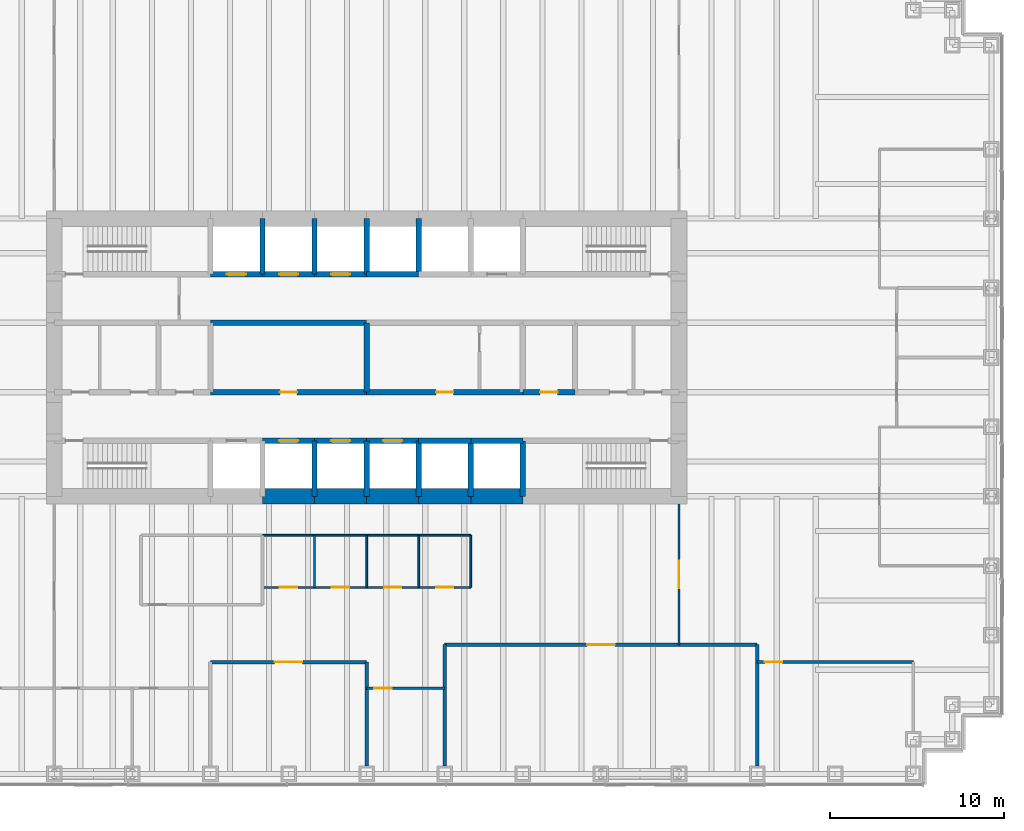
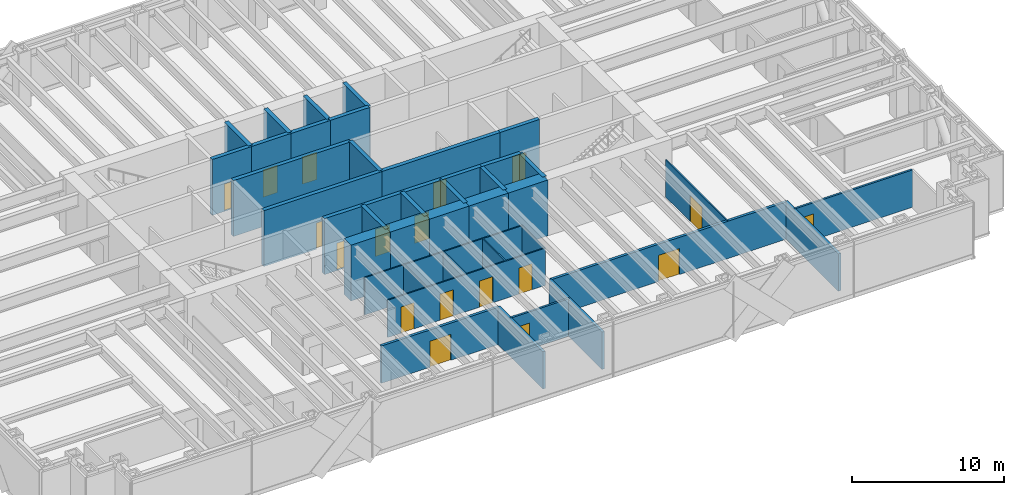
# One storey, part 10 of 13: 42 walls, 18 doors, 18 openings.
"""IFC4 building model written with IfcOpenShell, lengths in metres."""

from ifc_helpers import new_model, si_unit, direction, frame, frame_2d, origin, place, context, subcontext, project, spatial, rectangle, extrude, material, layer, layer_set, type_object, element, fill, save


model = new_model("IFC4")

# Units and contexts
model_context = context("Model", 3, precision=1e-05, world=origin(), true_north=direction((0.0, 1.0)))
body_context = subcontext(model_context, "Body", "Model", "MODEL_VIEW")
ifc_project = project(units=[si_unit("LENGTHUNIT", "METRE"), si_unit("AREAUNIT", "SQUARE_METRE"), si_unit("VOLUMEUNIT", "CUBIC_METRE"), si_unit("PLANEANGLEUNIT", "RADIAN"), si_unit("MASSUNIT", "GRAM", prefix="KILO")], contexts=[model_context])

# Site, building, storey
site_placement = place(None, origin())
site = spatial("IfcSite", under=ifc_project, at=site_placement, CompositionType="ELEMENT")
building_placement = place(site_placement, origin())
building = spatial("IfcBuilding", under=site, at=building_placement, Name="Rheinbord Bourse Tower", CompositionType="ELEMENT")
storey_placement = place(building_placement, frame((0.0, 0.0, 45.5)))
storey = spatial("IfcBuildingStorey", under=building, at=storey_placement, Name="L09", CompositionType="ELEMENT", Elevation=45.5)

# Wall, opening, door
ifc_material_1 = material(Name="Acoustic gypsum board partition", Category="gypsum board")
ifc_layer_1 = layer(ifc_material_1, 0.199951171875)
ifc_layer_set_1 = layer_set([ifc_layer_1], Name="ACOUSTIC PARTITION 200")
wall_type_1 = type_object("IfcWallType", Name="ACOUSTIC PARTITION 200", PredefinedType="PARTITIONING", material=ifc_layer_set_1)
wall_1_placement = place(storey_placement, frame((27.0, 6.449951171875, 0.0), z_axis=(0.0, 0.0, 1.0), x_axis=(1.0, 0.0, 0.0)))
wall_1 = element("IfcWall", 1, at=wall_1_placement, inside=storey, type_object=wall_type_1, Name="Partition L09-04", PredefinedType="PARTITIONING", context=body_context, shape_type="SweptSolid", body=[
    extrude(rectangle(XDim=9.0, YDim=0.199951171875, at=frame_2d((4.5, 0.0))), origin(), (0.0, 0.0, 1.0), 3.0),
])
opening_1_placement = place(wall_1_placement, frame((3.699951171875, 0.0, 0.0)))
opening_1 = element("IfcOpeningElement", 2, at=opening_1_placement, cuts=wall_1, Name="Opening 09D06", PredefinedType="OPENING", context=body_context, shape_type="SweptSolid", body=[
    extrude(rectangle(XDim=1.60009765625, YDim=2.10009765625, at=frame_2d((0.800048828125, 1.050048828125))), frame((0.0, 0.10986328125, 0.0), z_axis=(0.0, -1.0, 0.0), x_axis=(1.0, 0.0, 0.0)), (0.0, 0.0, 1.0), 0.219970703125),
])
ifc_material_2 = material(Name="Timber door", Category="wood")
door_type_1 = type_object("IfcDoorType", Name="DOUBLE ROOM DOOR 1600", OperationType="DOUBLE_DOOR_DOUBLE_SWING", PredefinedType="DOOR", material=ifc_material_2)
door_1_placement = place(opening_1_placement, origin())
door_1 = element("IfcDoor", 3, at=door_1_placement, inside=storey, type_object=door_type_1, Name="Risk room door L09", OperationType="SINGLE_SWING_LEFT", OverallHeight=2.10009765625, OverallWidth=1.60009765625, PredefinedType="DOOR", context=body_context, shape_type="SweptSolid", body=[
    extrude(rectangle(XDim=1.60009765625, YDim=2.10009765625, at=frame_2d((0.800048828125, 1.050048828125))), frame((0.0, 0.02490234375, 0.0), z_axis=(0.0, -1.0, 0.0), x_axis=(1.0, 0.0, 0.0)), (0.0, 0.0, 1.0), 0.050048828125),
])
fill(opening_1, door_1)

wall_2_placement = place(storey_placement, frame((40.5, 7.449951171875, 0.0), z_axis=(0.0, 0.0, 1.0), x_axis=(1.0, 0.0, 0.0)))
wall_2 = element("IfcWall", 4, at=wall_2_placement, inside=storey, type_object=wall_type_1, Name="Partition L09-06", PredefinedType="PARTITIONING", context=body_context, shape_type="SweptSolid", body=[
    extrude(rectangle(XDim=18.0, YDim=0.199951171875, at=frame_2d((9.0, 0.0))), origin(), (0.0, 0.0, 1.0), 3.0),
])
opening_2_placement = place(wall_2_placement, frame((8.199951171875, 0.0, 0.0)))
opening_2 = element("IfcOpeningElement", 5, at=opening_2_placement, cuts=wall_2, Name="Opening 09D08", PredefinedType="OPENING", context=body_context, shape_type="SweptSolid", body=[
    extrude(rectangle(XDim=1.60009765625, YDim=2.10009765625, at=frame_2d((0.800048828125, 1.050048828125))), frame((0.0, 0.10986328125, 0.0), z_axis=(0.0, -1.0, 0.0), x_axis=(1.0, 0.0, 0.0)), (0.0, 0.0, 1.0), 0.219970703125),
])
door_2_placement = place(opening_2_placement, origin())
door_2 = element("IfcDoor", 6, at=door_2_placement, inside=storey, type_object=door_type_1, Name="Sales trading room door L09", OperationType="SINGLE_SWING_LEFT", OverallHeight=2.10009765625, OverallWidth=1.60009765625, PredefinedType="DOOR", context=body_context, shape_type="SweptSolid", body=[
    extrude(rectangle(XDim=1.60009765625, YDim=2.10009765625, at=frame_2d((0.800048828125, 1.050048828125))), frame((0.0, 0.02490234375, 0.0), z_axis=(0.0, -1.0, 0.0), x_axis=(1.0, 0.0, 0.0)), (0.0, 0.0, 1.0), 0.050048828125),
])
fill(opening_2, door_2)

# Walls
wall_3_placement = place(storey_placement, frame((36.0, 0.449951171875, 0.0), z_axis=(0.0, 0.0, 1.0), x_axis=(0.0, 1.0, 0.0)))
element("IfcWall", 7, at=wall_3_placement, inside=storey, type_object=wall_type_1, Name="Partition L09-31", PredefinedType="PARTITIONING", context=body_context, shape_type="SweptSolid", body=[
    extrude(rectangle(XDim=6.0, YDim=0.199951171875, at=frame_2d((3.0, 0.0))), origin(), (0.0, 0.0, 1.0), 3.0),
])
for number, where, z_axis, x_axis, name in (
    (8, (40.5, 0.449951171875, 0.0), (0.0, 0.0, 1.0), (0.0, 1.0, 0.0), "Partition L09-34"),
    (9, (58.5, 0.449951171875, 0.0), (0.0, 0.0, 1.0), (0.0, 1.0, 0.0), "Partition L09-38"),
):
    element("IfcWall", number, at=place(storey_placement, frame(where, z_axis=z_axis, x_axis=x_axis)), inside=storey, type_object=wall_type_1, Name=name, PredefinedType="PARTITIONING", context=body_context, shape_type="SweptSolid", body=[
        extrude(rectangle(XDim=7.0, YDim=0.199951171875, at=frame_2d((3.5, 0.0))), origin(), (0.0, 0.0, 1.0), 3.0),
    ])

# Wall, opening, door
ifc_material_3 = material(Name="Concrete C50/60", Category="concrete")
ifc_layer_2 = layer(ifc_material_3, 0.300048828125)
ifc_layer_set_2 = layer_set([ifc_layer_2], Name="CORE INNER WALL 300")
wall_type_2 = type_object("IfcWallType", Name="CORE INNER WALL 300", PredefinedType="SOLIDWALL", material=ifc_layer_set_2)
wall_4_placement = place(storey_placement, frame((30.0, 19.199951171875, 0.0), z_axis=(0.0, 0.0, 1.0), x_axis=(1.0, 0.0, 0.0)))
wall_4 = element("IfcWall", 10, at=wall_4_placement, inside=storey, type_object=wall_type_2, Name="Core wall A3 L09", PredefinedType="SOLIDWALL", context=body_context, shape_type="SweptSolid", body=[
    extrude(rectangle(XDim=3.0, YDim=0.300048828125, at=frame_2d((1.5, 0.0))), origin(), (0.0, 0.0, 1.0), 4.5),
])
opening_3_placement = place(wall_4_placement, frame((0.949951171875, 0.0, 0.0)))
opening_3 = element("IfcOpeningElement", 11, at=opening_3_placement, cuts=wall_4, Name="Opening PA1", PredefinedType="OPENING", context=body_context, shape_type="SweptSolid", body=[
    extrude(rectangle(XDim=1.10009765625, YDim=2.199951171875, at=frame_2d((0.550048828125, 1.10009765625))), frame((0.0, 0.159912109375, 0.0), z_axis=(0.0, -1.0, 0.0), x_axis=(1.0, 0.0, 0.0)), (0.0, 0.0, 1.0), 0.320068359375),
])
ifc_material_4 = material(Name="Steel landing door", Category="steel")
door_type_2 = type_object("IfcDoorType", Name="LIFT LANDING DOOR 1100", OperationType="DOUBLE_DOOR_SLIDING", PredefinedType="USERDEFINED", material=ifc_material_4)
door_3_placement = place(opening_3_placement, origin())
door_3 = element("IfcDoor", 12, at=door_3_placement, inside=storey, type_object=door_type_2, Name="Lift landing door PA1 L09", ObjectType="LIFT LANDING DOOR", OperationType="DOUBLE_DOOR_SLIDING", OverallHeight=2.199951171875, OverallWidth=1.10009765625, PredefinedType="USERDEFINED", context=body_context, shape_type="SweptSolid", body=[
    extrude(rectangle(XDim=1.10009765625, YDim=2.199951171875, at=frame_2d((0.550048828125, 1.10009765625))), frame((0.0, 0.02490234375, 0.0), z_axis=(0.0, -1.0, 0.0), x_axis=(1.0, 0.0, 0.0)), (0.0, 0.0, 1.0), 0.050048828125),
])
fill(opening_3, door_3)

wall_5_placement = place(storey_placement, frame((33.0, 19.199951171875, 0.0), z_axis=(0.0, 0.0, 1.0), x_axis=(1.0, 0.0, 0.0)))
wall_5 = element("IfcWall", 13, at=wall_5_placement, inside=storey, type_object=wall_type_2, Name="Core wall A4 L09", PredefinedType="SOLIDWALL", context=body_context, shape_type="SweptSolid", body=[
    extrude(rectangle(XDim=3.0, YDim=0.300048828125, at=frame_2d((1.5, 0.0))), origin(), (0.0, 0.0, 1.0), 4.5),
])
opening_4_placement = place(wall_5_placement, frame((0.949951171875, 0.0, 0.0)))
opening_4 = element("IfcOpeningElement", 14, at=opening_4_placement, cuts=wall_5, Name="Opening PA2", PredefinedType="OPENING", context=body_context, shape_type="SweptSolid", body=[
    extrude(rectangle(XDim=1.10009765625, YDim=2.199951171875, at=frame_2d((0.550048828125, 1.10009765625))), frame((0.0, 0.159912109375, 0.0), z_axis=(0.0, -1.0, 0.0), x_axis=(1.0, 0.0, 0.0)), (0.0, 0.0, 1.0), 0.320068359375),
])
door_4_placement = place(opening_4_placement, origin())
door_4 = element("IfcDoor", 15, at=door_4_placement, inside=storey, type_object=door_type_2, Name="Lift landing door PA2 L09", ObjectType="LIFT LANDING DOOR", OperationType="DOUBLE_DOOR_SLIDING", OverallHeight=2.199951171875, OverallWidth=1.10009765625, PredefinedType="USERDEFINED", context=body_context, shape_type="SweptSolid", body=[
    extrude(rectangle(XDim=1.10009765625, YDim=2.199951171875, at=frame_2d((0.550048828125, 1.10009765625))), frame((0.0, 0.02490234375, 0.0), z_axis=(0.0, -1.0, 0.0), x_axis=(1.0, 0.0, 0.0)), (0.0, 0.0, 1.0), 0.050048828125),
])
fill(opening_4, door_4)

wall_6_placement = place(storey_placement, frame((36.0, 19.199951171875, 0.0), z_axis=(0.0, 0.0, 1.0), x_axis=(1.0, 0.0, 0.0)))
wall_6 = element("IfcWall", 16, at=wall_6_placement, inside=storey, type_object=wall_type_2, Name="Core wall A5 L09", PredefinedType="SOLIDWALL", context=body_context, shape_type="SweptSolid", body=[
    extrude(rectangle(XDim=3.0, YDim=0.300048828125, at=frame_2d((1.5, 0.0))), origin(), (0.0, 0.0, 1.0), 4.5),
])
opening_5_placement = place(wall_6_placement, frame((0.949951171875, 0.0, 0.0)))
opening_5 = element("IfcOpeningElement", 17, at=opening_5_placement, cuts=wall_6, Name="Opening PA3", PredefinedType="OPENING", context=body_context, shape_type="SweptSolid", body=[
    extrude(rectangle(XDim=1.10009765625, YDim=2.199951171875, at=frame_2d((0.550048828125, 1.10009765625))), frame((0.0, 0.159912109375, 0.0), z_axis=(0.0, -1.0, 0.0), x_axis=(1.0, 0.0, 0.0)), (0.0, 0.0, 1.0), 0.320068359375),
])
door_5_placement = place(opening_5_placement, origin())
door_5 = element("IfcDoor", 18, at=door_5_placement, inside=storey, type_object=door_type_2, Name="Lift landing door PA3 L09", ObjectType="LIFT LANDING DOOR", OperationType="DOUBLE_DOOR_SLIDING", OverallHeight=2.199951171875, OverallWidth=1.10009765625, PredefinedType="USERDEFINED", context=body_context, shape_type="SweptSolid", body=[
    extrude(rectangle(XDim=1.10009765625, YDim=2.199951171875, at=frame_2d((0.550048828125, 1.10009765625))), frame((0.0, 0.02490234375, 0.0), z_axis=(0.0, -1.0, 0.0), x_axis=(1.0, 0.0, 0.0)), (0.0, 0.0, 1.0), 0.050048828125),
])
fill(opening_5, door_5)

# Walls
for number, where, z_axis, x_axis, name in (
    (19, (39.0, 19.199951171875, 0.0), (0.0, 0.0, 1.0), (1.0, 0.0, 0.0), "Core wall A6 L09"),
    (20, (42.0, 19.199951171875, 0.0), (0.0, 0.0, 1.0), (1.0, 0.0, 0.0), "Core wall A7 L09"),
):
    element("IfcWall", number, at=place(storey_placement, frame(where, z_axis=z_axis, x_axis=x_axis)), inside=storey, type_object=wall_type_2, Name=name, PredefinedType="SOLIDWALL", context=body_context, shape_type="SweptSolid", body=[
        extrude(rectangle(XDim=3.0, YDim=0.300048828125, at=frame_2d((1.5, 0.0))), origin(), (0.0, 0.0, 1.0), 4.5),
    ])

# Wall, opening, door
wall_7_placement = place(storey_placement, frame((27.0, 28.800048828125, 0.0), z_axis=(0.0, 0.0, 1.0), x_axis=(1.0, 0.0, 0.0)))
wall_7 = element("IfcWall", 21, at=wall_7_placement, inside=storey, type_object=wall_type_2, Name="Core wall B2 L09", PredefinedType="SOLIDWALL", context=body_context, shape_type="SweptSolid", body=[
    extrude(rectangle(XDim=3.0, YDim=0.300048828125, at=frame_2d((1.5, 0.0))), origin(), (0.0, 0.0, 1.0), 4.5),
])
opening_6_placement = place(wall_7_placement, frame((0.949951171875, 0.0, 0.0)))
opening_6 = element("IfcOpeningElement", 22, at=opening_6_placement, cuts=wall_7, Name="Opening GL1", PredefinedType="OPENING", context=body_context, shape_type="SweptSolid", body=[
    extrude(rectangle(XDim=1.10009765625, YDim=2.199951171875, at=frame_2d((0.550048828125, 1.10009765625))), frame((0.0, 0.159912109375, 0.0), z_axis=(0.0, -1.0, 0.0), x_axis=(1.0, 0.0, 0.0)), (0.0, 0.0, 1.0), 0.320068359375),
])
door_6_placement = place(opening_6_placement, origin())
door_6 = element("IfcDoor", 23, at=door_6_placement, inside=storey, type_object=door_type_2, Name="Lift landing door GL1 L09", ObjectType="LIFT LANDING DOOR", OperationType="DOUBLE_DOOR_SLIDING", OverallHeight=2.199951171875, OverallWidth=1.10009765625, PredefinedType="USERDEFINED", context=body_context, shape_type="SweptSolid", body=[
    extrude(rectangle(XDim=1.10009765625, YDim=2.199951171875, at=frame_2d((0.550048828125, 1.10009765625))), frame((0.0, 0.02490234375, 0.0), z_axis=(0.0, -1.0, 0.0), x_axis=(1.0, 0.0, 0.0)), (0.0, 0.0, 1.0), 0.050048828125),
])
fill(opening_6, door_6)

wall_8_placement = place(storey_placement, frame((30.0, 28.800048828125, 0.0), z_axis=(0.0, 0.0, 1.0), x_axis=(1.0, 0.0, 0.0)))
wall_8 = element("IfcWall", 24, at=wall_8_placement, inside=storey, type_object=wall_type_2, Name="Core wall B3 L09", PredefinedType="SOLIDWALL", context=body_context, shape_type="SweptSolid", body=[
    extrude(rectangle(XDim=3.0, YDim=0.300048828125, at=frame_2d((1.5, 0.0))), origin(), (0.0, 0.0, 1.0), 4.5),
])
opening_7_placement = place(wall_8_placement, frame((0.949951171875, 0.0, 0.0)))
opening_7 = element("IfcOpeningElement", 25, at=opening_7_placement, cuts=wall_8, Name="Opening PA4", PredefinedType="OPENING", context=body_context, shape_type="SweptSolid", body=[
    extrude(rectangle(XDim=1.10009765625, YDim=2.199951171875, at=frame_2d((0.550048828125, 1.10009765625))), frame((0.0, 0.159912109375, 0.0), z_axis=(0.0, -1.0, 0.0), x_axis=(1.0, 0.0, 0.0)), (0.0, 0.0, 1.0), 0.320068359375),
])
door_7_placement = place(opening_7_placement, origin())
door_7 = element("IfcDoor", 26, at=door_7_placement, inside=storey, type_object=door_type_2, Name="Lift landing door PA4 L09", ObjectType="LIFT LANDING DOOR", OperationType="DOUBLE_DOOR_SLIDING", OverallHeight=2.199951171875, OverallWidth=1.10009765625, PredefinedType="USERDEFINED", context=body_context, shape_type="SweptSolid", body=[
    extrude(rectangle(XDim=1.10009765625, YDim=2.199951171875, at=frame_2d((0.550048828125, 1.10009765625))), frame((0.0, 0.02490234375, 0.0), z_axis=(0.0, -1.0, 0.0), x_axis=(1.0, 0.0, 0.0)), (0.0, 0.0, 1.0), 0.050048828125),
])
fill(opening_7, door_7)

wall_9_placement = place(storey_placement, frame((33.0, 28.800048828125, 0.0), z_axis=(0.0, 0.0, 1.0), x_axis=(1.0, 0.0, 0.0)))
wall_9 = element("IfcWall", 27, at=wall_9_placement, inside=storey, type_object=wall_type_2, Name="Core wall B4 L09", PredefinedType="SOLIDWALL", context=body_context, shape_type="SweptSolid", body=[
    extrude(rectangle(XDim=3.0, YDim=0.300048828125, at=frame_2d((1.5, 0.0))), origin(), (0.0, 0.0, 1.0), 4.5),
])
opening_8_placement = place(wall_9_placement, frame((0.949951171875, 0.0, 0.0)))
opening_8 = element("IfcOpeningElement", 28, at=opening_8_placement, cuts=wall_9, Name="Opening PA5", PredefinedType="OPENING", context=body_context, shape_type="SweptSolid", body=[
    extrude(rectangle(XDim=1.10009765625, YDim=2.199951171875, at=frame_2d((0.550048828125, 1.10009765625))), frame((0.0, 0.159912109375, 0.0), z_axis=(0.0, -1.0, 0.0), x_axis=(1.0, 0.0, 0.0)), (0.0, 0.0, 1.0), 0.320068359375),
])
door_8_placement = place(opening_8_placement, origin())
door_8 = element("IfcDoor", 29, at=door_8_placement, inside=storey, type_object=door_type_2, Name="Lift landing door PA5 L09", ObjectType="LIFT LANDING DOOR", OperationType="DOUBLE_DOOR_SLIDING", OverallHeight=2.199951171875, OverallWidth=1.10009765625, PredefinedType="USERDEFINED", context=body_context, shape_type="SweptSolid", body=[
    extrude(rectangle(XDim=1.10009765625, YDim=2.199951171875, at=frame_2d((0.550048828125, 1.10009765625))), frame((0.0, 0.02490234375, 0.0), z_axis=(0.0, -1.0, 0.0), x_axis=(1.0, 0.0, 0.0)), (0.0, 0.0, 1.0), 0.050048828125),
])
fill(opening_8, door_8)

# Wall
wall_10_placement = place(storey_placement, frame((36.0, 28.800048828125, 0.0), z_axis=(0.0, 0.0, 1.0), x_axis=(1.0, 0.0, 0.0)))
element("IfcWall", 30, at=wall_10_placement, inside=storey, type_object=wall_type_2, Name="Core wall B5 L09", PredefinedType="SOLIDWALL", context=body_context, shape_type="SweptSolid", body=[
    extrude(rectangle(XDim=3.0, YDim=0.300048828125, at=frame_2d((1.5, 0.0))), origin(), (0.0, 0.0, 1.0), 4.5),
])

# Wall, opening, door
wall_11_placement = place(storey_placement, frame((27.0, 22.0, 0.0), z_axis=(0.0, 0.0, 1.0), x_axis=(1.0, 0.0, 0.0)))
wall_11 = element("IfcWall", 31, at=wall_11_placement, inside=storey, type_object=wall_type_2, Name="Core wall C3 L09", PredefinedType="SOLIDWALL", context=body_context, shape_type="SweptSolid", body=[
    extrude(rectangle(XDim=9.0, YDim=0.300048828125, at=frame_2d((4.5, 0.0))), origin(), (0.0, 0.0, 1.0), 4.5),
])
opening_9_placement = place(wall_11_placement, frame((4.0, 0.0, 0.0)))
opening_9 = element("IfcOpeningElement", 32, at=opening_9_placement, cuts=wall_11, Name="Opening 09R3", PredefinedType="OPENING", context=body_context, shape_type="SweptSolid", body=[
    extrude(rectangle(XDim=1.0, YDim=2.10009765625, at=frame_2d((0.5, 1.050048828125))), frame((0.0, 0.159912109375, 0.0), z_axis=(0.0, -1.0, 0.0), x_axis=(1.0, 0.0, 0.0)), (0.0, 0.0, 1.0), 0.320068359375),
])
ifc_material_5 = material(Name="Steel door", Category="steel")
door_type_3 = type_object("IfcDoorType", Name="DOOR 1000 EI30", OperationType="SINGLE_SWING_LEFT", PredefinedType="DOOR", material=ifc_material_5)
door_9_placement = place(opening_9_placement, origin())
door_9 = element("IfcDoor", 33, at=door_9_placement, inside=storey, type_object=door_type_3, Name="Riser door L09", OperationType="SINGLE_SWING_LEFT", OverallHeight=2.10009765625, OverallWidth=1.0, PredefinedType="DOOR", context=body_context, shape_type="SweptSolid", body=[
    extrude(rectangle(XDim=1.0, YDim=2.10009765625, at=frame_2d((0.5, 1.050048828125))), frame((0.0, 0.02490234375, 0.0), z_axis=(0.0, -1.0, 0.0), x_axis=(1.0, 0.0, 0.0)), (0.0, 0.0, 1.0), 0.050048828125),
])
fill(opening_9, door_9)

wall_12_placement = place(storey_placement, frame((36.0, 22.0, 0.0), z_axis=(0.0, 0.0, 1.0), x_axis=(1.0, 0.0, 0.0)))
wall_12 = element("IfcWall", 34, at=wall_12_placement, inside=storey, type_object=wall_type_2, Name="Core wall C4 L09", PredefinedType="SOLIDWALL", context=body_context, shape_type="SweptSolid", body=[
    extrude(rectangle(XDim=9.0, YDim=0.300048828125, at=frame_2d((4.5, 0.0))), origin(), (0.0, 0.0, 1.0), 4.5),
])
opening_10_placement = place(wall_12_placement, frame((4.0, 0.0, 0.0)))
opening_10 = element("IfcOpeningElement", 35, at=opening_10_placement, cuts=wall_12, Name="Opening 09R4", PredefinedType="OPENING", context=body_context, shape_type="SweptSolid", body=[
    extrude(rectangle(XDim=1.0, YDim=2.10009765625, at=frame_2d((0.5, 1.050048828125))), frame((0.0, 0.159912109375, 0.0), z_axis=(0.0, -1.0, 0.0), x_axis=(1.0, 0.0, 0.0)), (0.0, 0.0, 1.0), 0.320068359375),
])
door_10_placement = place(opening_10_placement, origin())
door_10 = element("IfcDoor", 36, at=door_10_placement, inside=storey, type_object=door_type_3, Name="Print room door L09", OperationType="SINGLE_SWING_LEFT", OverallHeight=2.10009765625, OverallWidth=1.0, PredefinedType="DOOR", context=body_context, shape_type="SweptSolid", body=[
    extrude(rectangle(XDim=1.0, YDim=2.10009765625, at=frame_2d((0.5, 1.050048828125))), frame((0.0, 0.02490234375, 0.0), z_axis=(0.0, -1.0, 0.0), x_axis=(1.0, 0.0, 0.0)), (0.0, 0.0, 1.0), 0.050048828125),
])
fill(opening_10, door_10)

wall_13_placement = place(storey_placement, frame((45.0, 22.0, 0.0), z_axis=(0.0, 0.0, 1.0), x_axis=(1.0, 0.0, 0.0)))
wall_13 = element("IfcWall", 37, at=wall_13_placement, inside=storey, type_object=wall_type_2, Name="Core wall C5 L09", PredefinedType="SOLIDWALL", context=body_context, shape_type="SweptSolid", body=[
    extrude(rectangle(XDim=3.0, YDim=0.300048828125, at=frame_2d((1.5, 0.0))), origin(), (0.0, 0.0, 1.0), 4.5),
])
opening_11_placement = place(wall_13_placement, frame((1.0, 0.0, 0.0)))
opening_11 = element("IfcOpeningElement", 38, at=opening_11_placement, cuts=wall_13, Name="Opening 09R5", PredefinedType="OPENING", context=body_context, shape_type="SweptSolid", body=[
    extrude(rectangle(XDim=1.0, YDim=2.10009765625, at=frame_2d((0.5, 1.050048828125))), frame((0.0, 0.159912109375, 0.0), z_axis=(0.0, -1.0, 0.0), x_axis=(1.0, 0.0, 0.0)), (0.0, 0.0, 1.0), 0.320068359375),
])
ifc_material_6 = material(Name="Timber door", Category="wood")
door_type_4 = type_object("IfcDoorType", Name="DOOR 1000 WC", OperationType="SINGLE_SWING_LEFT", PredefinedType="DOOR", material=ifc_material_6)
door_11_placement = place(opening_11_placement, origin())
door_11 = element("IfcDoor", 39, at=door_11_placement, inside=storey, type_object=door_type_4, Name="Accessible WC door L09", OperationType="SINGLE_SWING_LEFT", OverallHeight=2.10009765625, OverallWidth=1.0, PredefinedType="DOOR", context=body_context, shape_type="SweptSolid", body=[
    extrude(rectangle(XDim=1.0, YDim=2.10009765625, at=frame_2d((0.5, 1.050048828125))), frame((0.0, 0.02490234375, 0.0), z_axis=(0.0, -1.0, 0.0), x_axis=(1.0, 0.0, 0.0)), (0.0, 0.0, 1.0), 0.050048828125),
])
fill(opening_11, door_11)

# Walls
wall_14_placement = place(storey_placement, frame((27.0, 26.0, 0.0), z_axis=(0.0, 0.0, 1.0), x_axis=(1.0, 0.0, 0.0)))
element("IfcWall", 40, at=wall_14_placement, inside=storey, type_object=wall_type_2, Name="Core wall D3 L09", PredefinedType="SOLIDWALL", context=body_context, shape_type="SweptSolid", body=[
    extrude(rectangle(XDim=9.0, YDim=0.300048828125, at=frame_2d((4.5, 0.0))), origin(), (0.0, 0.0, 1.0), 4.5),
])
for number, where, z_axis, x_axis, name in (
    (41, (30.0, 28.800048828125, 0.0), (0.0, 0.0, 1.0), (0.0, 1.0, 0.0), "Core wall NX30 L09"),
    (42, (33.0, 16.0, 0.0), (0.0, 0.0, 1.0), (0.0, 1.0, 0.0), "Core wall SX33 L09"),
    (43, (33.0, 28.800048828125, 0.0), (0.0, 0.0, 1.0), (0.0, 1.0, 0.0), "Core wall NX33 L09"),
    (44, (36.0, 16.0, 0.0), (0.0, 0.0, 1.0), (0.0, 1.0, 0.0), "Core wall SX36 L09"),
    (45, (36.0, 28.800048828125, 0.0), (0.0, 0.0, 1.0), (0.0, 1.0, 0.0), "Core wall NX36 L09"),
    (46, (39.0, 16.0, 0.0), (0.0, 0.0, 1.0), (0.0, 1.0, 0.0), "Core wall SX39 L09"),
    (47, (39.0, 28.800048828125, 0.0), (0.0, 0.0, 1.0), (0.0, 1.0, 0.0), "Core wall NX39 L09"),
    (48, (42.0, 16.0, 0.0), (0.0, 0.0, 1.0), (0.0, 1.0, 0.0), "Core wall SX42 L09"),
    (49, (45.0, 16.0, 0.0), (0.0, 0.0, 1.0), (0.0, 1.0, 0.0), "Core wall SX45 L09"),
):
    element("IfcWall", number, at=place(storey_placement, frame(where, z_axis=z_axis, x_axis=x_axis)), inside=storey, type_object=wall_type_2, Name=name, PredefinedType="SOLIDWALL", context=body_context, shape_type="SweptSolid", body=[
        extrude(rectangle(XDim=3.199951171875, YDim=0.300048828125, at=frame_2d((1.60009765625, 0.0))), origin(), (0.0, 0.0, 1.0), 4.5),
    ])
wall_15_placement = place(storey_placement, frame((36.0, 22.0, 0.0), z_axis=(0.0, 0.0, 1.0), x_axis=(0.0, 1.0, 0.0)))
element("IfcWall", 50, at=wall_15_placement, inside=storey, type_object=wall_type_2, Name="Core wall MX36 L09", PredefinedType="SOLIDWALL", context=body_context, shape_type="SweptSolid", body=[
    extrude(rectangle(XDim=4.0, YDim=0.300048828125, at=frame_2d((2.0, 0.0))), origin(), (0.0, 0.0, 1.0), 4.5),
])
ifc_material_7 = material(Name="Concrete C50/60", Category="concrete")
ifc_layer_3 = layer(ifc_material_7, 0.89990234375)
ifc_layer_set_3 = layer_set([ifc_layer_3], Name="CORE WALL 900")
wall_type_3 = type_object("IfcWallType", Name="CORE WALL 900", PredefinedType="SHEAR", material=ifc_layer_set_3)
for number, where, z_axis, x_axis, name in (
    (51, (30.0, 16.0, 0.0), (0.0, 0.0, 1.0), (1.0, 0.0, 0.0), "Core wall S3 L09"),
    (52, (33.0, 16.0, 0.0), (0.0, 0.0, 1.0), (1.0, 0.0, 0.0), "Core wall S4 L09"),
    (53, (36.0, 16.0, 0.0), (0.0, 0.0, 1.0), (1.0, 0.0, 0.0), "Core wall S5 L09"),
    (54, (39.0, 16.0, 0.0), (0.0, 0.0, 1.0), (1.0, 0.0, 0.0), "Core wall S6 L09"),
    (55, (42.0, 16.0, 0.0), (0.0, 0.0, 1.0), (1.0, 0.0, 0.0), "Core wall S7 L09"),
):
    element("IfcWall", number, at=place(storey_placement, frame(where, z_axis=z_axis, x_axis=x_axis)), inside=storey, type_object=wall_type_3, Name=name, PredefinedType="SHEAR", context=body_context, shape_type="SweptSolid", body=[
        extrude(rectangle(XDim=3.0, YDim=0.89990234375, at=frame_2d((1.5, 0.0))), origin(), (0.0, 0.0, 1.0), 4.5),
    ])

# Wall, openings, doors
ifc_material_8 = material(Name="Toughened laminated glass partition", Category="glass")
ifc_layer_4 = layer(ifc_material_8, 0.10009765625)
ifc_layer_set_4 = layer_set([ifc_layer_4], Name="GLAZED PARTITION 100")
wall_type_4 = type_object("IfcWallType", Name="GLAZED PARTITION 100", PredefinedType="PARTITIONING", material=ifc_layer_set_4)
wall_16_placement = place(storey_placement, frame((30.0, 10.75, 0.0), z_axis=(0.0, 0.0, 1.0), x_axis=(1.0, 0.0, 0.0)))
wall_16 = element("IfcWall", 56, at=wall_16_placement, inside=storey, type_object=wall_type_4, Name="Partition L09-08", PredefinedType="PARTITIONING", context=body_context, shape_type="SweptSolid", body=[
    extrude(rectangle(XDim=12.0, YDim=0.10009765625, at=frame_2d((6.0, 0.0))), origin(), (0.0, 0.0, 1.0), 3.0),
])
opening_12_placement = place(wall_16_placement, frame((1.0, 0.0, 0.0)))
opening_12 = element("IfcOpeningElement", 57, at=opening_12_placement, cuts=wall_16, Name="Opening 09D10", PredefinedType="OPENING", context=body_context, shape_type="SweptSolid", body=[
    extrude(rectangle(XDim=1.0, YDim=2.10009765625, at=frame_2d((0.5, 1.050048828125))), frame((0.0, 0.06005859375, 0.0), z_axis=(0.0, -1.0, 0.0), x_axis=(1.0, 0.0, 0.0)), (0.0, 0.0, 1.0), 0.1201171875),
])
opening_13_placement = place(wall_16_placement, frame((4.0, 0.0, 0.0)))
opening_13 = element("IfcOpeningElement", 58, at=opening_13_placement, cuts=wall_16, Name="Opening 09D11", PredefinedType="OPENING", context=body_context, shape_type="SweptSolid", body=[
    extrude(rectangle(XDim=1.0, YDim=2.10009765625, at=frame_2d((0.5, 1.050048828125))), frame((0.0, 0.06005859375, 0.0), z_axis=(0.0, -1.0, 0.0), x_axis=(1.0, 0.0, 0.0)), (0.0, 0.0, 1.0), 0.1201171875),
])
opening_14_placement = place(wall_16_placement, frame((7.0, 0.0, 0.0)))
opening_14 = element("IfcOpeningElement", 59, at=opening_14_placement, cuts=wall_16, Name="Opening 09D12", PredefinedType="OPENING", context=body_context, shape_type="SweptSolid", body=[
    extrude(rectangle(XDim=1.0, YDim=2.10009765625, at=frame_2d((0.5, 1.050048828125))), frame((0.0, 0.06005859375, 0.0), z_axis=(0.0, -1.0, 0.0), x_axis=(1.0, 0.0, 0.0)), (0.0, 0.0, 1.0), 0.1201171875),
])
opening_15_placement = place(wall_16_placement, frame((10.0, 0.0, 0.0)))
opening_15 = element("IfcOpeningElement", 60, at=opening_15_placement, cuts=wall_16, Name="Opening 09D13", PredefinedType="OPENING", context=body_context, shape_type="SweptSolid", body=[
    extrude(rectangle(XDim=1.0, YDim=2.10009765625, at=frame_2d((0.5, 1.050048828125))), frame((0.0, 0.06005859375, 0.0), z_axis=(0.0, -1.0, 0.0), x_axis=(1.0, 0.0, 0.0)), (0.0, 0.0, 1.0), 0.1201171875),
])
ifc_material_9 = material(Name="Timber door", Category="wood")
door_type_5 = type_object("IfcDoorType", Name="ROOM DOOR 1000", OperationType="SINGLE_SWING_LEFT", PredefinedType="DOOR", material=ifc_material_9)
door_12_placement = place(opening_12_placement, origin())
door_12 = element("IfcDoor", 61, at=door_12_placement, inside=storey, type_object=door_type_5, Name="Quiet room door L09", OperationType="SINGLE_SWING_LEFT", OverallHeight=2.10009765625, OverallWidth=1.0, PredefinedType="DOOR", context=body_context, shape_type="SweptSolid", body=[
    extrude(rectangle(XDim=1.0, YDim=2.10009765625, at=frame_2d((0.5, 1.050048828125))), frame((0.0, 0.02490234375, 0.0), z_axis=(0.0, -1.0, 0.0), x_axis=(1.0, 0.0, 0.0)), (0.0, 0.0, 1.0), 0.050048828125),
])
fill(opening_12, door_12)
door_13_placement = place(opening_13_placement, origin())
door_13 = element("IfcDoor", 62, at=door_13_placement, inside=storey, type_object=door_type_5, Name="Quiet room door L09", OperationType="SINGLE_SWING_LEFT", OverallHeight=2.10009765625, OverallWidth=1.0, PredefinedType="DOOR", context=body_context, shape_type="SweptSolid", body=[
    extrude(rectangle(XDim=1.0, YDim=2.10009765625, at=frame_2d((0.5, 1.050048828125))), frame((0.0, 0.02490234375, 0.0), z_axis=(0.0, -1.0, 0.0), x_axis=(1.0, 0.0, 0.0)), (0.0, 0.0, 1.0), 0.050048828125),
])
fill(opening_13, door_13)
door_14_placement = place(opening_14_placement, origin())
door_14 = element("IfcDoor", 63, at=door_14_placement, inside=storey, type_object=door_type_5, Name="Quiet room door L09", OperationType="SINGLE_SWING_RIGHT", OverallHeight=2.10009765625, OverallWidth=1.0, PredefinedType="DOOR", context=body_context, shape_type="SweptSolid", body=[
    extrude(rectangle(XDim=1.0, YDim=2.10009765625, at=frame_2d((0.5, 1.050048828125))), frame((0.0, 0.02490234375, 0.0), z_axis=(0.0, -1.0, 0.0), x_axis=(1.0, 0.0, 0.0)), (0.0, 0.0, 1.0), 0.050048828125),
])
fill(opening_14, door_14)
door_15_placement = place(opening_15_placement, origin())
door_15 = element("IfcDoor", 64, at=door_15_placement, inside=storey, type_object=door_type_5, Name="Quiet room door L09", OperationType="SINGLE_SWING_RIGHT", OverallHeight=2.10009765625, OverallWidth=1.0, PredefinedType="DOOR", context=body_context, shape_type="SweptSolid", body=[
    extrude(rectangle(XDim=1.0, YDim=2.10009765625, at=frame_2d((0.5, 1.050048828125))), frame((0.0, 0.02490234375, 0.0), z_axis=(0.0, -1.0, 0.0), x_axis=(1.0, 0.0, 0.0)), (0.0, 0.0, 1.0), 0.050048828125),
])
fill(opening_15, door_15)

# Walls
wall_17_placement = place(storey_placement, frame((30.0, 13.75, 0.0), z_axis=(0.0, 0.0, 1.0), x_axis=(1.0, 0.0, 0.0)))
element("IfcWall", 65, at=wall_17_placement, inside=storey, type_object=wall_type_4, Name="Partition L09-11", PredefinedType="PARTITIONING", context=body_context, shape_type="SweptSolid", body=[
    extrude(rectangle(XDim=12.0, YDim=0.10009765625, at=frame_2d((6.0, 0.0))), origin(), (0.0, 0.0, 1.0), 3.0),
])
for number, where, z_axis, x_axis, name in (
    (66, (33.0, 10.75, 0.0), (0.0, 0.0, 1.0), (0.0, 1.0, 0.0), "Partition L09-30"),
    (67, (36.0, 10.75, 0.0), (0.0, 0.0, 1.0), (0.0, 1.0, 0.0), "Partition L09-32"),
    (68, (39.0, 10.75, 0.0), (0.0, 0.0, 1.0), (0.0, 1.0, 0.0), "Partition L09-33"),
    (69, (42.0, 10.75, 0.0), (0.0, 0.0, 1.0), (0.0, 1.0, 0.0), "Partition L09-35"),
):
    element("IfcWall", number, at=place(storey_placement, frame(where, z_axis=z_axis, x_axis=x_axis)), inside=storey, type_object=wall_type_4, Name=name, PredefinedType="PARTITIONING", context=body_context, shape_type="SweptSolid", body=[
        extrude(rectangle(XDim=3.0, YDim=0.10009765625, at=frame_2d((1.5, 0.0))), origin(), (0.0, 0.0, 1.0), 3.0),
    ])

# Wall, opening, door
wall_18_placement = place(storey_placement, frame((54.0, 7.449951171875, 0.0), z_axis=(0.0, 0.0, 1.0), x_axis=(0.0, 1.0, 0.0)))
wall_18 = element("IfcWall", 70, at=wall_18_placement, inside=storey, type_object=wall_type_4, Name="Partition L09-36", PredefinedType="PARTITIONING", context=body_context, shape_type="SweptSolid", body=[
    extrude(rectangle(XDim=8.10009765625, YDim=0.10009765625, at=frame_2d((4.050048828125, 0.0))), origin(), (0.0, 0.0, 1.0), 3.0),
])
opening_16_placement = place(wall_18_placement, frame((3.25, 0.0, 0.0)))
opening_16 = element("IfcOpeningElement", 71, at=opening_16_placement, cuts=wall_18, Name="Opening 09D23", PredefinedType="OPENING", context=body_context, shape_type="SweptSolid", body=[
    extrude(rectangle(XDim=1.60009765625, YDim=2.10009765625, at=frame_2d((0.800048828125, 1.050048828125))), frame((0.0, 0.06005859375, 0.0), z_axis=(0.0, -1.0, 0.0), x_axis=(1.0, 0.0, 0.0)), (0.0, 0.0, 1.0), 0.1201171875),
])
door_16_placement = place(opening_16_placement, origin())
door_16 = element("IfcDoor", 72, at=door_16_placement, inside=storey, type_object=door_type_1, Name="Open area door L09", OperationType="SINGLE_SWING_LEFT", OverallHeight=2.10009765625, OverallWidth=1.60009765625, PredefinedType="DOOR", context=body_context, shape_type="SweptSolid", body=[
    extrude(rectangle(XDim=1.60009765625, YDim=2.10009765625, at=frame_2d((0.800048828125, 1.050048828125))), frame((0.0, 0.02490234375, 0.0), z_axis=(0.0, -1.0, 0.0), x_axis=(1.0, 0.0, 0.0)), (0.0, 0.0, 1.0), 0.050048828125),
])
fill(opening_16, door_16)

ifc_material_10 = material(Name="Gypsum board partition", Category="gypsum board")
ifc_layer_5 = layer(ifc_material_10, 0.14990234375)
ifc_layer_set_5 = layer_set([ifc_layer_5], Name="PARTITION 150")
wall_type_5 = type_object("IfcWallType", Name="PARTITION 150", PredefinedType="PARTITIONING", material=ifc_layer_set_5)
wall_19_placement = place(storey_placement, frame((36.0, 4.949951171875, 0.0), z_axis=(0.0, 0.0, 1.0), x_axis=(1.0, 0.0, 0.0)))
wall_19 = element("IfcWall", 73, at=wall_19_placement, inside=storey, type_object=wall_type_5, Name="Partition L09-02", PredefinedType="PARTITIONING", context=body_context, shape_type="SweptSolid", body=[
    extrude(rectangle(XDim=4.5, YDim=0.14990234375, at=frame_2d((2.25, 0.0))), origin(), (0.0, 0.0, 1.0), 3.0),
])
opening_17_placement = place(wall_19_placement, frame((0.449951171875, 0.0, 0.0)))
opening_17 = element("IfcOpeningElement", 74, at=opening_17_placement, cuts=wall_19, Name="Opening 09D04", PredefinedType="OPENING", context=body_context, shape_type="SweptSolid", body=[
    extrude(rectangle(XDim=1.0, YDim=2.10009765625, at=frame_2d((0.5, 1.050048828125))), frame((0.0, 0.0849609375, 0.0), z_axis=(0.0, -1.0, 0.0), x_axis=(1.0, 0.0, 0.0)), (0.0, 0.0, 1.0), 0.169921875),
])
door_17_placement = place(opening_17_placement, origin())
door_17 = element("IfcDoor", 75, at=door_17_placement, inside=storey, type_object=door_type_5, Name="Compliance office door L09", OperationType="SINGLE_SWING_LEFT", OverallHeight=2.10009765625, OverallWidth=1.0, PredefinedType="DOOR", context=body_context, shape_type="SweptSolid", body=[
    extrude(rectangle(XDim=1.0, YDim=2.10009765625, at=frame_2d((0.5, 1.050048828125))), frame((0.0, 0.02490234375, 0.0), z_axis=(0.0, -1.0, 0.0), x_axis=(1.0, 0.0, 0.0)), (0.0, 0.0, 1.0), 0.050048828125),
])
fill(opening_17, door_17)

wall_20_placement = place(storey_placement, frame((58.5, 6.449951171875, 0.0), z_axis=(0.0, 0.0, 1.0), x_axis=(1.0, 0.0, 0.0)))
wall_20 = element("IfcWall", 76, at=wall_20_placement, inside=storey, type_object=wall_type_5, Name="Partition L09-05", PredefinedType="PARTITIONING", context=body_context, shape_type="SweptSolid", body=[
    extrude(rectangle(XDim=9.0, YDim=0.14990234375, at=frame_2d((4.5, 0.0))), origin(), (0.0, 0.0, 1.0), 3.0),
])
opening_18_placement = place(wall_20_placement, frame((0.449951171875, 0.0, 0.0)))
opening_18 = element("IfcOpeningElement", 77, at=opening_18_placement, cuts=wall_20, Name="Opening 09D07", PredefinedType="OPENING", context=body_context, shape_type="SweptSolid", body=[
    extrude(rectangle(XDim=1.0, YDim=2.10009765625, at=frame_2d((0.5, 1.050048828125))), frame((0.0, 0.0849609375, 0.0), z_axis=(0.0, -1.0, 0.0), x_axis=(1.0, 0.0, 0.0)), (0.0, 0.0, 1.0), 0.169921875),
])
door_18_placement = place(opening_18_placement, origin())
door_18 = element("IfcDoor", 78, at=door_18_placement, inside=storey, type_object=door_type_5, Name="Head of sales office door L09", OperationType="SINGLE_SWING_LEFT", OverallHeight=2.10009765625, OverallWidth=1.0, PredefinedType="DOOR", context=body_context, shape_type="SweptSolid", body=[
    extrude(rectangle(XDim=1.0, YDim=2.10009765625, at=frame_2d((0.5, 1.050048828125))), frame((0.0, 0.02490234375, 0.0), z_axis=(0.0, -1.0, 0.0), x_axis=(1.0, 0.0, 0.0)), (0.0, 0.0, 1.0), 0.050048828125),
])
fill(opening_18, door_18)

save(model, "model.ifc")
